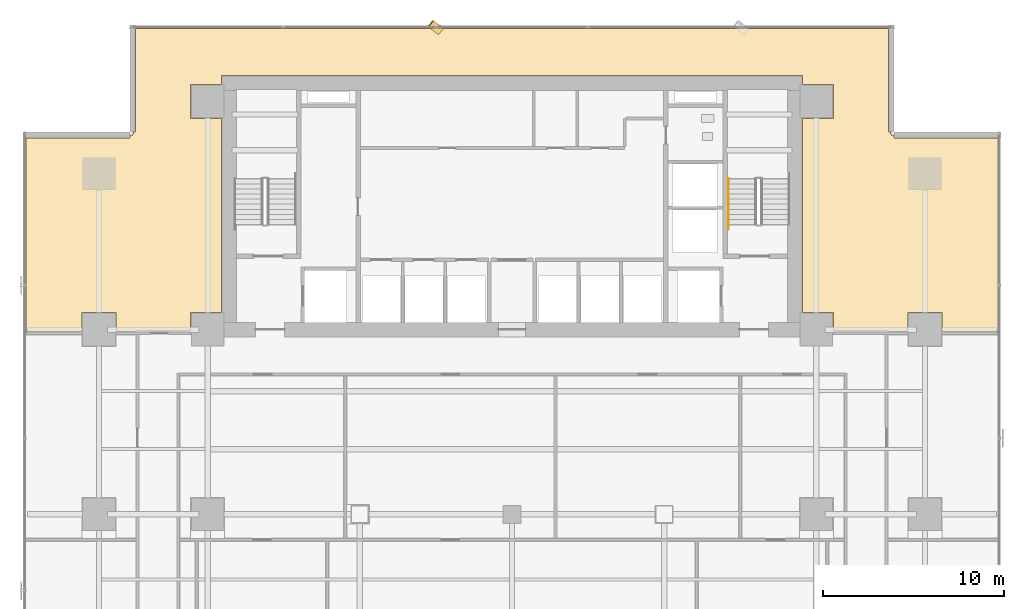
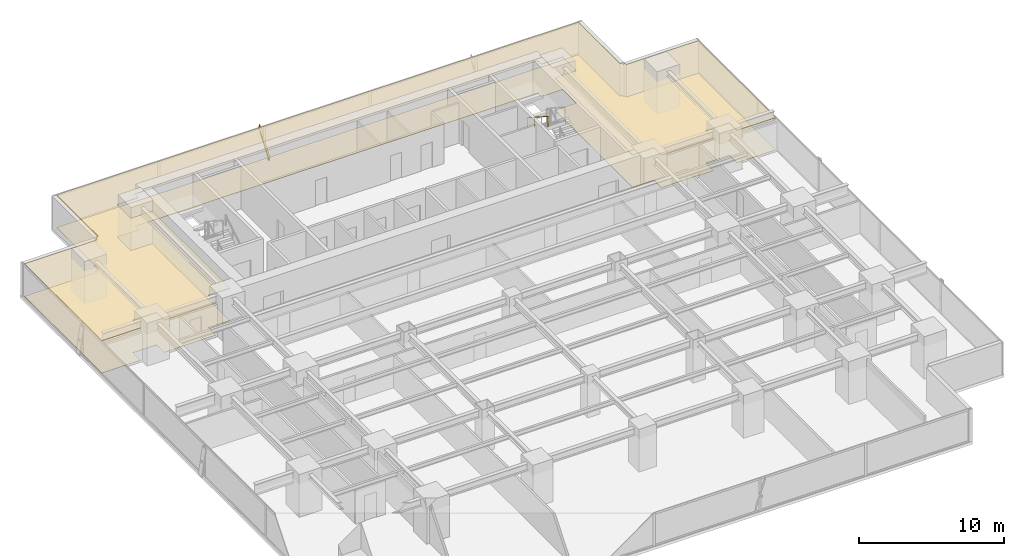
# One storey, part 30 of 32: 2 coverings, 1 railing, 1 shading device.
"""IFC4 building model written with IfcOpenShell, lengths in metres."""

from ifc_helpers import new_model, si_unit, direction, frame, origin, origin_2d, place, context, subcontext, project, spatial, polyline, rectangle, outline, extrude, source, transform, mapped, material, layer, layer_set, material_profile, profile_set, type_object, element, save


model = new_model("IFC4")

# Units and contexts
model_context = context("Model", 3, precision=1e-05, world=origin(), true_north=direction((0.0, 1.0)))
body_context = subcontext(model_context, "Body", "Model", "MODEL_VIEW")
ifc_project = project(units=[si_unit("LENGTHUNIT", "METRE"), si_unit("AREAUNIT", "SQUARE_METRE"), si_unit("VOLUMEUNIT", "CUBIC_METRE"), si_unit("PLANEANGLEUNIT", "RADIAN"), si_unit("MASSUNIT", "GRAM", prefix="KILO")], contexts=[model_context])

# Site, building, storey
site_placement = place(None, origin())
site = spatial("IfcSite", under=ifc_project, at=site_placement, CompositionType="ELEMENT")
building_placement = place(site_placement, origin())
building = spatial("IfcBuilding", under=site, at=building_placement, Name="Sumidabori Civic Tower", CompositionType="ELEMENT")
storey_placement = place(building_placement, frame((0.0, 0.0, 52.39990234375)))
storey = spatial("IfcBuildingStorey", under=building, at=storey_placement, Name="L13", CompositionType="ELEMENT", Elevation=52.39990234375)

# Coverings
ifc_material_1 = material(Name="Anodised Bronze Baffle Ceiling")
ifc_layer_1 = layer(ifc_material_1, 0.054931640625, Name="Anodised Bronze Baffle Ceiling")
ifc_layer_set_1 = layer_set([ifc_layer_1], Name="Anodised Bronze Baffle Ceiling")
covering_type_1 = type_object("IfcCoveringType", Name="CV-CEIL-AC3", PredefinedType="CEILING", material=ifc_layer_set_1)
covering_1_placement = place(storey_placement, frame((0.0, 0.0, 2.710205078125)))
element("IfcCovering", 1, at=covering_1_placement, inside=storey, type_object=covering_type_1, Name="Room Acoustic Ceiling L13-01", PredefinedType="CEILING", context=body_context, shape_type="SweptSolid", body=[
    extrude(outline(polyline([(-26.830078125, 10.094970703125), (-26.830078125, 20.77197265625), (-21.092041015625, 20.77197265625), (-21.092041015625, 20.929931640625), (-20.929931640625, 20.929931640625), (-20.929931640625, 21.092041015625), (-20.77197265625, 21.092041015625), (-20.77197265625, 26.830078125), (20.77197265625, 26.830078125), (20.77197265625, 21.092041015625), (20.929931640625, 21.092041015625), (20.929931640625, 20.929931640625), (21.092041015625, 20.929931640625), (21.092041015625, 20.77197265625), (26.830078125, 20.77197265625), (26.830078125, 10.094970703125), (23.739990234375, 10.094970703125), (23.739990234375, 11.139892578125), (21.860107421875, 11.139892578125), (21.860107421875, 10.094970703125), (20.77001953125, 10.094970703125), (20.77001953125, 10.1201171875), (17.739990234375, 10.1201171875), (17.739990234375, 11.139892578125), (16.028076171875, 11.139892578125), (16.028076171875, 21.860107421875), (17.739990234375, 21.860107421875), (17.739990234375, 23.739990234375), (16.028076171875, 23.739990234375), (16.028076171875, 24.22802734375), (-16.028076171875, 24.22802734375), (-16.028076171875, 23.739990234375), (-17.739990234375, 23.739990234375), (-17.739990234375, 21.860107421875), (-16.028076171875, 21.860107421875), (-16.028076171875, 11.139892578125), (-17.739990234375, 11.139892578125), (-17.739990234375, 10.1201171875), (-20.77001953125, 10.1201171875), (-20.77001953125, 10.094970703125), (-21.860107421875, 10.094970703125), (-21.860107421875, 11.139892578125), (-23.739990234375, 11.139892578125), (-23.739990234375, 10.094970703125), (-26.830078125, 10.094970703125)])), origin(), (0.0, 0.0, 1.0), 0.054931640625),
])
ifc_material_2 = material(Name="Honed Terrazzo Tile Flooring")
ifc_layer_2 = layer(ifc_material_2, 0.030029296875, Name="Honed Terrazzo Tile Flooring")
ifc_layer_set_2 = layer_set([ifc_layer_2], Name="Honed Terrazzo Tile Flooring")
covering_type_2 = type_object("IfcCoveringType", Name="CV-FLR-TER", PredefinedType="FLOORING", material=ifc_layer_set_2)
covering_2_placement = place(storey_placement, origin())
element("IfcCovering", 2, at=covering_2_placement, inside=storey, type_object=covering_type_2, Name="Room Terrazzo Floor L13-01", PredefinedType="FLOORING", context=body_context, shape_type="SweptSolid", body=[
    extrude(outline(polyline([(-26.830078125, 10.094970703125), (-26.830078125, 20.77197265625), (-21.092041015625, 20.77197265625), (-21.092041015625, 20.929931640625), (-20.929931640625, 20.929931640625), (-20.929931640625, 21.092041015625), (-20.77197265625, 21.092041015625), (-20.77197265625, 26.830078125), (20.77197265625, 26.830078125), (20.77197265625, 21.092041015625), (20.929931640625, 21.092041015625), (20.929931640625, 20.929931640625), (21.092041015625, 20.929931640625), (21.092041015625, 20.77197265625), (26.830078125, 20.77197265625), (26.830078125, 10.094970703125), (23.739990234375, 10.094970703125), (23.739990234375, 11.139892578125), (21.860107421875, 11.139892578125), (21.860107421875, 10.094970703125), (20.77001953125, 10.094970703125), (20.77001953125, 10.1201171875), (17.739990234375, 10.1201171875), (17.739990234375, 11.139892578125), (16.028076171875, 11.139892578125), (16.028076171875, 21.860107421875), (17.739990234375, 21.860107421875), (17.739990234375, 23.739990234375), (16.028076171875, 23.739990234375), (16.028076171875, 24.22802734375), (-16.028076171875, 24.22802734375), (-16.028076171875, 23.739990234375), (-17.739990234375, 23.739990234375), (-17.739990234375, 21.860107421875), (-16.028076171875, 21.860107421875), (-16.028076171875, 11.139892578125), (-17.739990234375, 11.139892578125), (-17.739990234375, 10.1201171875), (-20.77001953125, 10.1201171875), (-20.77001953125, 10.094970703125), (-21.860107421875, 10.094970703125), (-21.860107421875, 11.139892578125), (-23.739990234375, 11.139892578125), (-23.739990234375, 10.094970703125), (-26.830078125, 10.094970703125)])), origin(), (0.0, 0.0, 1.0), 0.030029296875),
])

# Railing
ifc_material_3 = material(Name="Stainless Steel Hairline Finish", Category="steel")
railing_type = type_object("IfcRailingType", Name="RL-HANDRAIL", PredefinedType="HANDRAIL", material=ifc_material_3)
railing_placement = place(storey_placement, frame((11.949951171875, 18.52001953125, 1.97998046875)))
element("IfcRailing", 3, at=railing_placement, inside=storey, type_object=railing_type, Name="L13 ST-2 stair handrail 2", PredefinedType="HANDRAIL", context=body_context, shape_type="SweptSolid", body=[
    extrude(rectangle(XDim=0.048095703125, YDim=0.048095703125, at=origin_2d()), frame((0.0, 0.0, 0.8759765625), z_axis=(0.0, -0.84064222762, 0.54159084662), x_axis=(1.0, 0.0, 0.0)), (0.0, 0.0, 1.0), 3.330810546875),
    extrude(rectangle(XDim=0.0419921875, YDim=0.0419921875, at=origin_2d()), origin(), (0.0, 0.0, 1.0), 0.851806640625),
    extrude(rectangle(XDim=0.0419921875, YDim=0.0419921875, at=origin_2d()), frame((0.0, -0.933349609375, 0.601318359375)), (0.0, 0.0, 1.0), 0.851806640625),
    extrude(rectangle(XDim=0.0419921875, YDim=0.0419921875, at=origin_2d()), frame((0.0, -1.86669921875, 1.20263671875)), (0.0, 0.0, 1.0), 0.851806640625),
    extrude(rectangle(XDim=0.0419921875, YDim=0.0419921875, at=origin_2d()), frame((0.0, -2.800048828125, 1.803955078125)), (0.0, 0.0, 1.0), 0.851806640625),
])

# Shading device
ifc_material_4 = material(Name="Anodised Bronze Aluminium AW-6063-T6", Category="aluminium")
ifc_material_profile = material_profile(ifc_material_4, rectangle(XDim=0.06005859375, YDim=0.449951171875, at=origin_2d()), Name="BRONZE FIN 450x60")
ifc_profile_set = profile_set([ifc_material_profile], Name="Anodised Bronze Aluminium AW-6063-T6")
shading_device_type = type_object("IfcShadingDeviceType", Name="SH-FIN-450", PredefinedType="USERDEFINED", material=ifc_profile_set)
shared_shape = source(origin(), body_context, "Body", "SweptSolid", [
    extrude(rectangle(XDim=0.06005859375, YDim=0.449951171875, at=origin_2d()), origin(), (0.0, 0.0, 1.0), 2.77001953125),
])
shading_device_placement = place(storey_placement, frame((-3.93408203125, 26.669921875, 0.02001953125), z_axis=(-0.202094156315, 0.151680786314, 0.967548908865), x_axis=(0.773836593328, -0.580799292245, 0.252683812211)))
element("IfcShadingDevice", 4, at=shading_device_placement, inside=storey, type_object=shading_device_type, Name="Bronze Anodised Diagonal Fin L13-03", ObjectType="FIN", PredefinedType="USERDEFINED", context=body_context, shape_type="MappedRepresentation", body=[
    mapped(shared_shape, transform((0.0, 0.0, 0.0), x_axis=(1.0, 0.0, 0.0), y_axis=(0.0, 1.0, 0.0), z_axis=(0.0, 0.0, 1.0), scale=1.0)),
])

save(model, "model.ifc")
